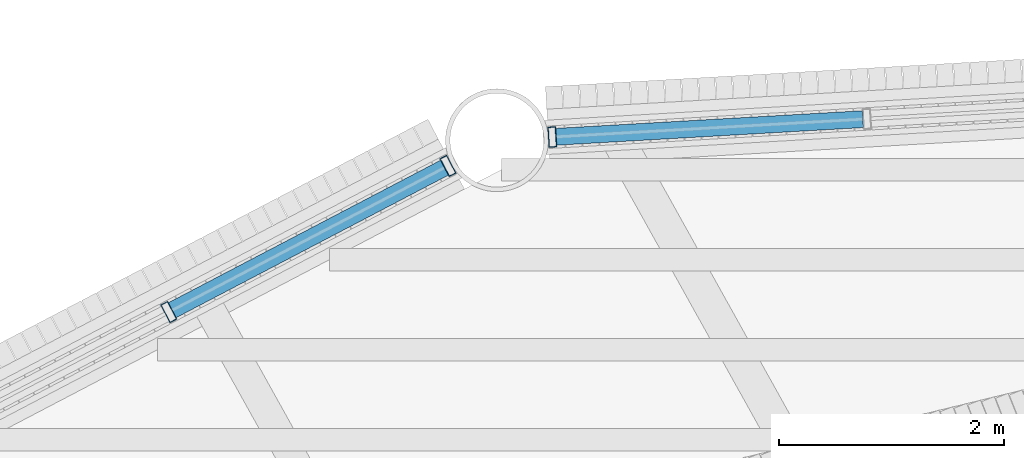
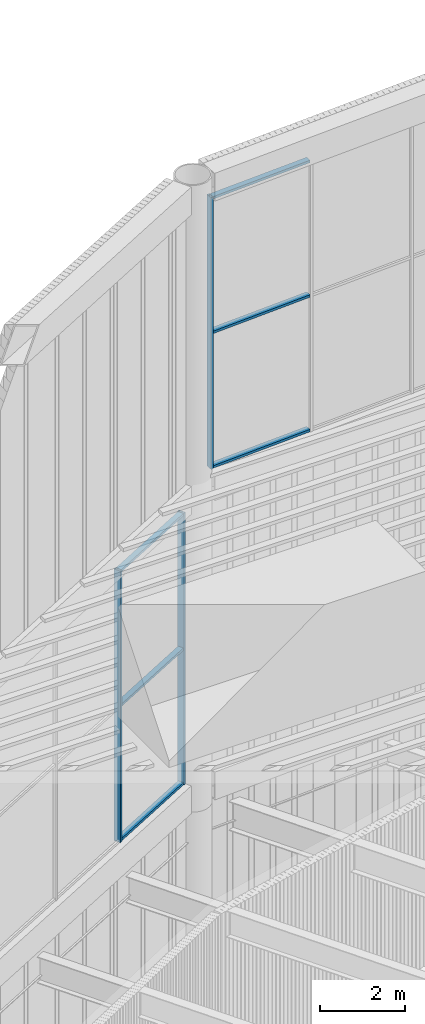
# One storey, part 51 of 117: 9 members, 2 elements without a shape of their own.
"""IFC4 building model written with IfcOpenShell, lengths in metres."""

from ifc_helpers import new_model, si_unit, direction, frame, origin, origin_2d, place, context, subcontext, project, spatial, hollow_rectangle, extrude, material, layer, layer_set, material_profile, profile_set, type_object, element, aggregate, save


model = new_model("IFC4")

# Units and contexts
model_context = context("Model", 3, precision=1e-05, world=origin(), true_north=direction((0.0, 1.0)))
body_context = subcontext(model_context, "Body", "Model", "MODEL_VIEW")
ifc_project = project(units=[si_unit("LENGTHUNIT", "METRE"), si_unit("AREAUNIT", "SQUARE_METRE"), si_unit("VOLUMEUNIT", "CUBIC_METRE"), si_unit("PLANEANGLEUNIT", "RADIAN"), si_unit("MASSUNIT", "GRAM", prefix="KILO")], contexts=[model_context])

# Site, building, storey
site_placement = place(None, origin())
site = spatial("IfcSite", under=ifc_project, at=site_placement, CompositionType="ELEMENT")
building_placement = place(site_placement, origin())
building = spatial("IfcBuilding", under=site, at=building_placement, Name="Tarsis Ring Headquarters", CompositionType="ELEMENT")
storey_placement = place(building_placement, frame((0.0, 0.0, 403.60009765625)))
storey = spatial("IfcBuildingStorey", under=building, at=storey_placement, Name="L95", CompositionType="ELEMENT", Elevation=403.60009765625)

# Curtain wall, members
ifc_material_1 = material(Name="Aluminium curtain wall", Category="aluminium")
ifc_layer = layer(ifc_material_1, 0.179931640625)
ifc_layer_set = layer_set([ifc_layer], Name="Curtain wall crown glazing")
curtain_wall_type = type_object("IfcCurtainWallType", Name="Curtain wall crown glazing", PredefinedType="NOTDEFINED", material=ifc_layer_set)
curtain_wall_1_placement = place(storey_placement, origin())
curtain_wall_1 = element("IfcCurtainWall", 1, at=curtain_wall_1_placement, inside=storey, type_object=curtain_wall_type, Name="Crown glazing L11", PredefinedType="NOTDEFINED")
ifc_material_2 = material(Name="Aluminium mullion", Category="aluminium")
ifc_material_profile_1 = material_profile(ifc_material_2, hollow_rectangle(XDim=0.179931640625, YDim=0.070068359375, WallThickness=0.0048828125, at=origin_2d()), Name="RHS 180x70x5")
ifc_profile_set_1 = profile_set([ifc_material_profile_1], Name="Aluminium mullion")
member_type_1 = type_object("IfcMemberType", Name="Crown glazing mullion RHS 180x70x5", PredefinedType="MULLION", material=ifc_profile_set_1)
member_1_placement = place(storey_placement, frame((-8.180419921875, 27.768798828125, 5.7998046875), z_axis=(0.0, 0.0, 1.0), x_axis=(0.463817712561, -0.885930657284, 0.0)))
member_1 = element("IfcMember", 2, at=member_1_placement, type_object=member_type_1, Name="CW-C mullion 1", PredefinedType="MULLION", context=body_context, shape_type="SweptSolid", body=[
    extrude(hollow_rectangle(XDim=0.179931640625, YDim=0.070068359375, WallThickness=0.0048828125, at=origin_2d()), origin(), (0.0, 0.0, 1.0), 7.800048828125),
])
member_2_placement = place(storey_placement, frame((-10.659912109375, 26.470703125, 5.7998046875), z_axis=(0.0, 0.0, 1.0), x_axis=(0.463817712561, -0.885930657284, 0.0)))
member_2 = element("IfcMember", 3, at=member_2_placement, type_object=member_type_1, Name="CW-C mullion 2", PredefinedType="MULLION", context=body_context, shape_type="SweptSolid", body=[
    extrude(hollow_rectangle(XDim=0.179931640625, YDim=0.070068359375, WallThickness=0.0048828125, at=origin_2d()), origin(), (0.0, 0.0, 1.0), 7.800048828125),
])

# Curtain wall, member
curtain_wall_2_placement = place(storey_placement, origin())
curtain_wall_2 = element("IfcCurtainWall", 4, at=curtain_wall_2_placement, inside=storey, type_object=curtain_wall_type, Name="Crown glazing U10", PredefinedType="NOTDEFINED")
member_3_placement = place(storey_placement, frame((-7.25341796875, 28.025390625, 14.39990234375), z_axis=(0.0, 0.0, 1.0), x_axis=(0.057411549568, -0.998350596723, 0.0)))
member_3 = element("IfcMember", 5, at=member_3_placement, type_object=member_type_1, Name="CW-C mullion 5", PredefinedType="MULLION", context=body_context, shape_type="SweptSolid", body=[
    extrude(hollow_rectangle(XDim=0.179931640625, YDim=0.070068359375, WallThickness=0.0048828125, at=origin_2d()), origin(), (0.0, 0.0, 1.0), 7.800048828125),
])

# Member
ifc_material_3 = material(Name="Aluminium transom", Category="aluminium")
ifc_material_profile_2 = material_profile(ifc_material_3, hollow_rectangle(XDim=0.14990234375, YDim=0.070068359375, WallThickness=0.0048828125, at=origin_2d()), Name="RHS 150x70x5")
ifc_profile_set_2 = profile_set([ifc_material_profile_2], Name="Aluminium transom")
member_type_2 = type_object("IfcMemberType", Name="Crown glazing transom RHS 150x70x5", PredefinedType="USERDEFINED", material=ifc_profile_set_2)
member_4_placement = place(storey_placement, frame((-8.21142578125, 27.752685546875, 5.8349609375), z_axis=(-0.885933083335, -0.463813078571, 0.0), x_axis=(0.463813078571, -0.885933083335, 0.0)))
member_4 = element("IfcMember", 6, at=member_4_placement, type_object=member_type_2, Name="CW-C transom 1.1", ObjectType="TRANSOM", PredefinedType="USERDEFINED", context=body_context, shape_type="SweptSolid", body=[
    extrude(hollow_rectangle(XDim=0.14990234375, YDim=0.070068359375, WallThickness=0.0048828125, at=origin_2d()), origin(), (0.0, 0.0, 1.0), 2.728759765625),
])

member_5_placement = place(storey_placement, frame((-8.21142578125, 27.752685546875, 9.699951171875), z_axis=(-0.885933083335, -0.463813078571, 0.0), x_axis=(0.463813078571, -0.885933083335, 0.0)))
member_5 = element("IfcMember", 7, at=member_5_placement, type_object=member_type_2, Name="CW-C transom 1.2", ObjectType="TRANSOM", PredefinedType="USERDEFINED", context=body_context, shape_type="SweptSolid", body=[
    extrude(hollow_rectangle(XDim=0.14990234375, YDim=0.070068359375, WallThickness=0.0048828125, at=origin_2d()), origin(), (0.0, 0.0, 1.0), 2.728759765625),
])

member_6_placement = place(storey_placement, frame((-8.21142578125, 27.752685546875, 13.56494140625), z_axis=(-0.885933083335, -0.463813078571, 0.0), x_axis=(0.463813078571, -0.885933083335, 0.0)))
member_6 = element("IfcMember", 8, at=member_6_placement, type_object=member_type_2, Name="CW-C transom 1.3", ObjectType="TRANSOM", PredefinedType="USERDEFINED", context=body_context, shape_type="SweptSolid", body=[
    extrude(hollow_rectangle(XDim=0.14990234375, YDim=0.070068359375, WallThickness=0.0048828125, at=origin_2d()), origin(), (0.0, 0.0, 1.0), 2.728759765625),
])

aggregate(curtain_wall_1, [member_1, member_2, member_4, member_5, member_6])

member_7_placement = place(storey_placement, frame((-4.494140625, 28.18408203125, 14.434814453125), z_axis=(-0.998349129441, -0.057437058975, 0.0), x_axis=(0.057437058975, -0.998349129441, 0.0)))
member_7 = element("IfcMember", 9, at=member_7_placement, type_object=member_type_2, Name="CW-C transom 4.1", ObjectType="TRANSOM", PredefinedType="USERDEFINED", context=body_context, shape_type="SweptSolid", body=[
    extrude(hollow_rectangle(XDim=0.14990234375, YDim=0.070068359375, WallThickness=0.0048828125, at=origin_2d()), origin(), (0.0, 0.0, 1.0), 2.728759765625),
])

member_8_placement = place(storey_placement, frame((-4.494140625, 28.18408203125, 18.2998046875), z_axis=(-0.998349129441, -0.057437058975, 0.0), x_axis=(0.057437058975, -0.998349129441, 0.0)))
member_8 = element("IfcMember", 10, at=member_8_placement, type_object=member_type_2, Name="CW-C transom 4.2", ObjectType="TRANSOM", PredefinedType="USERDEFINED", context=body_context, shape_type="SweptSolid", body=[
    extrude(hollow_rectangle(XDim=0.14990234375, YDim=0.070068359375, WallThickness=0.0048828125, at=origin_2d()), origin(), (0.0, 0.0, 1.0), 2.728759765625),
])

member_9_placement = place(storey_placement, frame((-4.494140625, 28.18408203125, 22.164794921875), z_axis=(-0.998349129441, -0.057437058975, 0.0), x_axis=(0.057437058975, -0.998349129441, 0.0)))
member_9 = element("IfcMember", 11, at=member_9_placement, type_object=member_type_2, Name="CW-C transom 4.3", ObjectType="TRANSOM", PredefinedType="USERDEFINED", context=body_context, shape_type="SweptSolid", body=[
    extrude(hollow_rectangle(XDim=0.14990234375, YDim=0.070068359375, WallThickness=0.0048828125, at=origin_2d()), origin(), (0.0, 0.0, 1.0), 2.728759765625),
])

aggregate(curtain_wall_2, [member_3, member_7, member_8, member_9])

save(model, "model.ifc")
